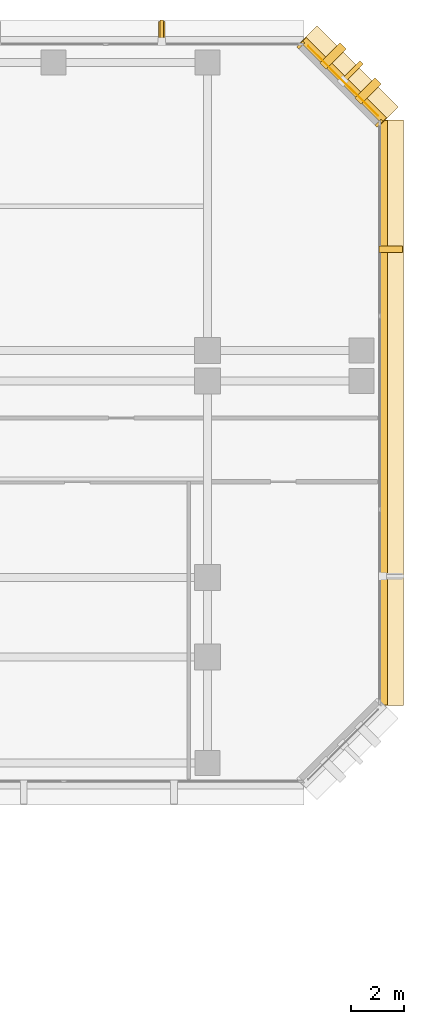
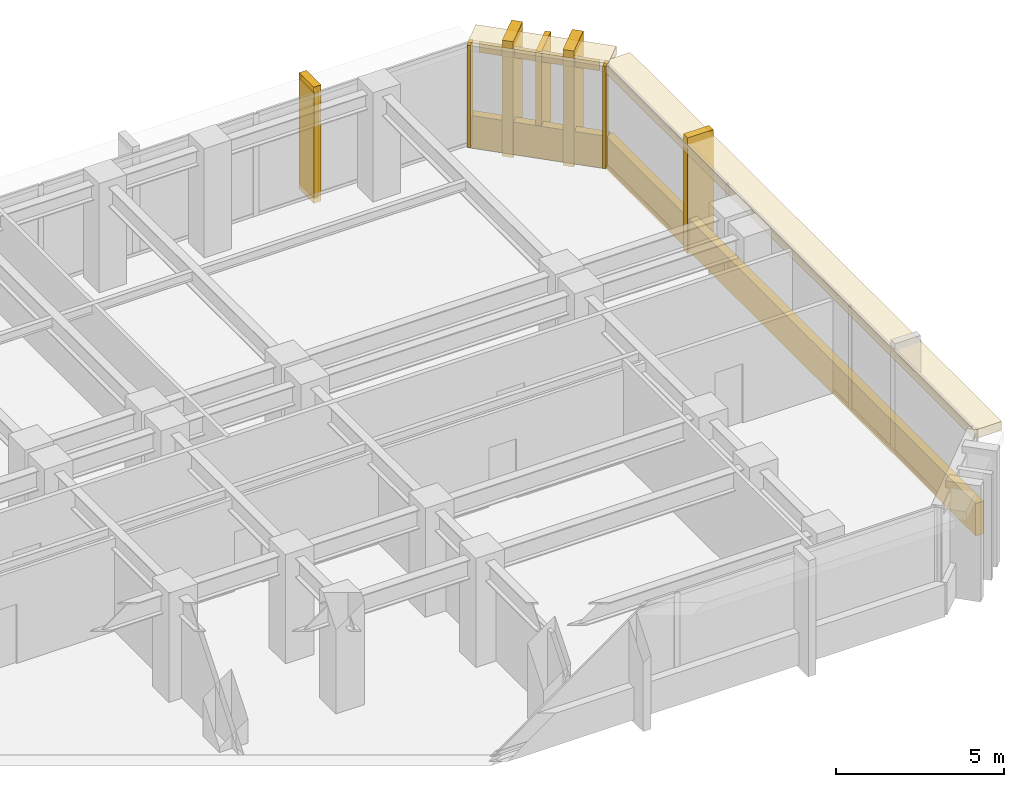
# One storey, part 13 of 13: 11 coverings, 2 shading devices.
"""IFC4 building model written with IfcOpenShell, lengths in metres."""

import ifcopenshell
import ifcopenshell.guid

model = None  # the IFC model being written
_history = None  # IfcOwnerHistory: only IFC2X3 demands one
_inside = {}  # id of a spatial element -> (the spatial element, [elements in it])
_under = {}  # id of a project, library or spatial element -> (it, [spatial elements below it])
_declared = {}  # id of a project -> (the project, [libraries it declares])
_typed = {}  # id of a type object -> (the type object, [elements of that type])
_made_of = {}  # id of a material, layer set ... -> (it, [elements and type objects made of it])


def new_model(schema):
    """Start an empty IFC model of exactly this schema.

    Asked for "IFC4X3", IfcOpenShell would pick the latest addendum, in which some entities
    have other attributes; the version numbers below select the first issue.
    IFC2X3 requires an IfcOwnerHistory on every rooted entity: one is made here for all.
    """
    global model, _history
    if schema == "IFC4X3":
        model = ifcopenshell.file(schema_version=(4, 3, 0, 0))
    else:
        model = ifcopenshell.file(schema=schema)
    _inside.clear()
    _under.clear()
    _declared.clear()
    _typed.clear()
    _made_of.clear()
    _history = None
    if model.schema == "IFC2X3":
        org = make("IfcOrganization", Name="unknown")
        user = make(
            "IfcPersonAndOrganization",
            ThePerson=make("IfcPerson", FamilyName="unknown"),
            TheOrganization=org,
        )
        app = make(
            "IfcApplication",
            ApplicationDeveloper=org,
            Version="unknown",
            ApplicationFullName="unknown",
            ApplicationIdentifier="unknown",
        )
        _history = make(
            "IfcOwnerHistory",
            OwningUser=user,
            OwningApplication=app,
            ChangeAction="ADDED",
            CreationDate=0,
        )
    return model


def make(cls, **values):
    """One entity of the class cls with the attributes given. An attribute that is None is left unset."""
    return model.create_entity(
        cls, **{name: value for name, value in values.items() if value is not None}
    )


def rooted(cls, **values):
    """An entity with a GlobalId (a new one), such as an element, a storey or a relation."""
    return make(cls, GlobalId=ifcopenshell.guid.new(), OwnerHistory=_history, **values)


def si_unit(unit_type, name, prefix=None):
    """IfcSIUnit, for example si_unit("LENGTHUNIT", "METRE", prefix="MILLI")."""
    return make("IfcSIUnit", UnitType=unit_type, Prefix=prefix, Name=name)


def assignment(units):
    """IfcUnitAssignment: the units of a project."""
    return None if units is None else make("IfcUnitAssignment", Units=units)


def point(xyz):
    """IfcCartesianPoint."""
    return None if xyz is None else make("IfcCartesianPoint", Coordinates=xyz)


def direction(xyz):
    """IfcDirection."""
    return None if xyz is None else make("IfcDirection", DirectionRatios=xyz)


def frame(location, z_axis=None, x_axis=None):
    """IfcAxis2Placement3D, a coordinate frame: its origin and axes. An axis left out is left unset."""
    return make(
        "IfcAxis2Placement3D",
        Location=point(location),
        Axis=direction(z_axis),
        RefDirection=direction(x_axis),
    )


def frame_2d(location, x_axis=None):
    """IfcAxis2Placement2D, a coordinate frame in the plane: its origin and x axis."""
    return make(
        "IfcAxis2Placement2D", Location=point(location), RefDirection=direction(x_axis)
    )


def origin():
    """The frame at (0, 0, 0) with its axes left unset."""
    return frame((0.0, 0.0, 0.0))


def origin_2d():
    """The frame at (0, 0) in the plane with its x axis left unset."""
    return frame_2d((0.0, 0.0))


def place(relative_to, where):
    """IfcLocalPlacement: puts the frame where relative to a parent placement (None: the world)."""
    return make(
        "IfcLocalPlacement", PlacementRelTo=relative_to, RelativePlacement=where
    )


def context(
    kind, dimensions, precision=None, world=None, true_north=None, identifier=None
):
    """IfcGeometricRepresentationContext, for example the 3D "Model" context."""
    return make(
        "IfcGeometricRepresentationContext",
        ContextIdentifier=identifier,
        ContextType=kind,
        CoordinateSpaceDimension=dimensions,
        Precision=precision,
        WorldCoordinateSystem=world,
        TrueNorth=true_north,
    )


def subcontext(parent, identifier, kind, view, scale=None):
    """IfcGeometricRepresentationSubContext, for example "Body" below "Model"."""
    return make(
        "IfcGeometricRepresentationSubContext",
        ContextIdentifier=identifier,
        ContextType=kind,
        ParentContext=parent,
        TargetScale=scale,
        TargetView=view,
    )


def project(units=None, contexts=None):
    """IfcProject with its units and contexts."""
    return rooted(
        "IfcProject",
        Name="project",
        RepresentationContexts=contexts,
        UnitsInContext=assignment(units),
    )


def spatial(cls, under=None, at=None, **own):
    """A site, building, storey or space (cls), placed at a placement, below another one or the project."""
    s = rooted(cls, ObjectPlacement=at, **own)
    if under is not None:
        _under.setdefault(under.id(), (under, []))[1].append(s)
    return s


def profile(cls, at=None, kind="AREA", **sizes):
    """A parametric profile (cls). Its sizes go by their IFC names, for example OverallWidth=200.0."""
    return make(cls, ProfileType=kind, Position=at, **sizes)


def rectangle(**sizes):
    """IfcRectangleProfileDef."""
    return profile("IfcRectangleProfileDef", **sizes)


def extrude(swept, where, along, depth):
    """IfcExtrudedAreaSolid: the profile swept, set in the frame where, extruded along a direction by depth."""
    return make(
        "IfcExtrudedAreaSolid",
        SweptArea=swept,
        Position=where,
        ExtrudedDirection=direction(along),
        Depth=depth,
    )


def shape(context_of_items, identifier, shape_type, items):
    """IfcShapeRepresentation: the items that make up one representation, for example the "Body"."""
    return make(
        "IfcShapeRepresentation",
        ContextOfItems=context_of_items,
        RepresentationIdentifier=identifier,
        RepresentationType=shape_type,
        Items=items,
    )


def material(Name=None, Category=None):
    """IfcMaterial."""
    return make("IfcMaterial", Name=Name, Category=Category)


def layer(
    of_material, thickness, ventilated=None, Name=None, Category=None, Priority=None
):
    """IfcMaterialLayer: one layer of a wall or slab, of a material (None: an air gap)."""
    return make(
        "IfcMaterialLayer",
        Material=of_material,
        LayerThickness=thickness,
        IsVentilated=ventilated,
        Name=Name,
        Category=Category,
        Priority=Priority,
    )


def layer_set(layers, Name=None):
    """IfcMaterialLayerSet."""
    return make("IfcMaterialLayerSet", MaterialLayers=layers, LayerSetName=Name)


def material_profile(
    of_material, cross_section, Name=None, Category=None, Priority=None
):
    """IfcMaterialProfile: a cross section and its material."""
    return make(
        "IfcMaterialProfile",
        Name=Name,
        Material=of_material,
        Profile=cross_section,
        Priority=Priority,
        Category=Category,
    )


def profile_set(profiles, Name=None, composite=None):
    """IfcMaterialProfileSet."""
    return make(
        "IfcMaterialProfileSet",
        Name=Name,
        MaterialProfiles=profiles,
        CompositeProfile=composite,
    )


def made_of(thing, what):
    """Note that an element or type object is made of a material, layer set ...; save() writes the relation."""
    if what is not None:
        _made_of.setdefault(what.id(), (what, []))[1].append(thing)
    return thing


def type_object(cls, material=None, **own):
    """A type object (cls), such as IfcWallType, which elements share."""
    return made_of(rooted(cls, **own), material)


def element(
    cls,
    number,
    at=None,
    inside=None,
    cuts=None,
    type_object=None,
    material=None,
    context=None,
    identifier="Body",
    shape_type=None,
    held_by="IfcProductDefinitionShape",
    body=None,
    shapes=None,
    **own,
):
    """One element of the class cls, such as IfcWall. Its Tag is "e" and its number.

    at: its placement. inside: the storey or other place that contains it. cuts: it is an
    opening in that element (IfcRelVoidsElement). A single representation is given by context,
    identifier, shape_type and body (its items); several are given by shapes. held_by: the class
    of the entity that holds the representations. save() writes the other relations.
    """
    e = rooted(cls, Tag="e%d" % number, ObjectPlacement=at, **own)
    if body is not None:
        shapes = [shape(context, identifier, shape_type, body)]
    if shapes is not None:
        e.Representation = make(held_by, Representations=shapes)
    if inside is not None:
        _inside.setdefault(inside.id(), (inside, []))[1].append(e)
    if cuts is not None:
        rooted(
            "IfcRelVoidsElement", RelatingBuildingElement=cuts, RelatedOpeningElement=e
        )
    if type_object is not None:
        _typed.setdefault(type_object.id(), (type_object, []))[1].append(e)
    return made_of(e, material)


def aggregate(whole, parts):
    """IfcRelAggregates: a whole, such as a stair, and the parts it consists of."""
    return rooted("IfcRelAggregates", RelatingObject=whole, RelatedObjects=parts)


def save(model, path):
    """Write the relations noted so far, then the file.

    IfcRelAggregates (storeys below a building ...), IfcRelContainedInSpatialStructure (elements
    in a storey), IfcRelDefinesByType, IfcRelAssociatesMaterial and IfcRelDeclares: one each for
    every whole, place, type object, material and project.
    """
    for whole, parts in _under.values():
        aggregate(whole, parts)
    for where, things in _inside.values():
        rooted(
            "IfcRelContainedInSpatialStructure",
            RelatedElements=things,
            RelatingStructure=where,
        )
    for kind, things in _typed.values():
        rooted("IfcRelDefinesByType", RelatedObjects=things, RelatingType=kind)
    for what, things in _made_of.values():
        rooted("IfcRelAssociatesMaterial", RelatedObjects=things, RelatingMaterial=what)
    for by, libraries in _declared.values():
        rooted("IfcRelDeclares", RelatingContext=by, RelatedDefinitions=libraries)
    model.write(path)


model = new_model("IFC4")

# Units and contexts
model_context = context("Model", 3, precision=1e-05, world=origin(), true_north=direction((0.0, 1.0)))
body_context = subcontext(model_context, "Body", "Model", "MODEL_VIEW")
ifc_project = project(units=[si_unit("LENGTHUNIT", "METRE"), si_unit("AREAUNIT", "SQUARE_METRE"), si_unit("VOLUMEUNIT", "CUBIC_METRE"), si_unit("PLANEANGLEUNIT", "RADIAN"), si_unit("MASSUNIT", "GRAM", prefix="KILO")], contexts=[model_context])

# Site, building, storey
site_placement = place(None, origin())
site = spatial("IfcSite", under=ifc_project, at=site_placement, CompositionType="ELEMENT")
building_placement = place(site_placement, origin())
building = spatial("IfcBuilding", under=site, at=building_placement, Name="Kefirva Bronze Tower", CompositionType="ELEMENT")
storey_placement = place(building_placement, frame((0.0, 0.0, 54.1201171875)))
storey = spatial("IfcBuildingStorey", under=building, at=storey_placement, Name="L12", CompositionType="ELEMENT", Elevation=54.1201171875)

# Coverings
ifc_material = material(Name="Bronze anodised aluminium", Category="aluminium")
ifc_layer_1 = layer(ifc_material, 0.02001953125, Name="Bronze anodised aluminium")
ifc_layer_set_1 = layer_set([ifc_layer_1], Name="Bronze anodised aluminium")
covering_type_1 = type_object("IfcCoveringType", Name="Anodised Bronze Spandrel Cladding 20mm", PredefinedType="CLADDING", material=ifc_layer_set_1)
covering_1_placement = place(storey_placement, frame((56.0400390625, 32.0, -0.16015625), z_axis=(0.0, 0.0, 1.0), x_axis=(0.0, 1.0, 0.0)))
element("IfcCovering", 1, at=covering_1_placement, inside=storey, type_object=covering_type_1, Name="L12 Streamline Horizontal Spandrel Band 6", PredefinedType="CLADDING", context=body_context, shape_type="SweptSolid", body=[
    extrude(rectangle(XDim=22.0400390625, YDim=0.280029296875, at=origin_2d()), origin(), (0.0, 0.0, 1.0), 1.179931640625),
])
covering_2_placement = place(storey_placement, frame((54.507080078125, 44.507080078125, 3.2900390625), z_axis=(0.0, 0.0, 1.0), x_axis=(-0.707106781187, 0.707106781187, 0.0)))
element("IfcCovering", 2, at=covering_2_placement, inside=storey, type_object=covering_type_1, Name="L12 Bronze Spandrel Cladding 5", PredefinedType="CLADDING", context=body_context, shape_type="SweptSolid", body=[
    extrude(rectangle(XDim=3.719482421875, YDim=0.02001953125, at=origin_2d()), origin(), (0.0, 0.0, 1.0), 0.39990234375),
])
for number, where, z_axis, x_axis, name in (
    (3, (55.862060546875, 42.91162109375, 0.0), (0.0, 0.0, 1.0), (-0.707106781187, 0.707106781187, 0.0), "L12 Facade Joint Closure Panel 5S"),
    (4, (52.91162109375, 45.862060546875, 0.0), (0.0, 0.0, 1.0), (-0.707106781187, 0.707106781187, 0.0), "L12 Facade Joint Closure Panel 5E"),
):
    element("IfcCovering", number, at=place(storey_placement, frame(where, z_axis=z_axis, x_axis=x_axis)), inside=storey, type_object=covering_type_1, Name=name, PredefinedType="CLADDING", context=body_context, shape_type="SweptSolid", body=[
        extrude(rectangle(XDim=0.10009765625, YDim=0.320068359375, at=origin_2d()), origin(), (0.0, 0.0, 1.0), 3.7099609375),
    ])
covering_3_placement = place(storey_placement, frame((54.5283203125, 44.5283203125, -0.16015625), z_axis=(0.0, 0.0, 1.0), x_axis=(-0.707106781187, 0.707106781187, 0.0)))
element("IfcCovering", 5, at=covering_3_placement, inside=storey, type_object=covering_type_1, Name="L12 Streamline Horizontal Spandrel Band 7", PredefinedType="CLADDING", context=body_context, shape_type="SweptSolid", body=[
    extrude(rectangle(XDim=4.28271484375, YDim=0.280029296875, at=origin_2d()), origin(), (0.0, 0.0, 1.0), 1.179931640625),
])

# Shading device
ifc_material_profile_1 = material_profile(ifc_material, rectangle(XDim=0.179931640625, YDim=1.080078125, at=origin_2d()), Name="BRONZE BUTTRESS FIN 180x1080")
ifc_profile_set_1 = profile_set([ifc_material_profile_1], Name="Bronze anodised aluminium")
shading_device_type_1 = type_object("IfcShadingDeviceType", Name="Chamfered Corner Buttress Bronze Fin 1080mm", PredefinedType="USERDEFINED", material=ifc_profile_set_1)
shading_device_1_placement = place(storey_placement, frame((54.8251953125, 44.8251953125, -0.14013671875), z_axis=(0.0, 0.0, 1.0), x_axis=(-0.707106781187, 0.707106781187, 0.0)))
element("IfcShadingDevice", 6, at=shading_device_1_placement, inside=storey, type_object=shading_device_type_1, Name="L12 Chamfered Corner Buttress Fin 18", ObjectType="VERTICAL FIN", PredefinedType="USERDEFINED", context=body_context, shape_type="SweptSolid", body=[
    extrude(rectangle(XDim=0.179931640625, YDim=1.080078125, at=origin_2d()), origin(), (0.0, 0.0, 1.0), 3.85009765625),
])

# Coverings
ifc_layer_2 = layer(ifc_material, 0.179931640625, Name="Bronze anodised aluminium")
ifc_layer_set_2 = layer_set([ifc_layer_2], Name="Bronze anodised aluminium")
covering_type_2 = type_object("IfcCoveringType", Name="Streamline Bronze Sunshade Eyebrow Cladding 180mm", PredefinedType="CLADDING", material=ifc_layer_set_2)
covering_4_placement = place(storey_placement, frame((56.31005859375, 32.0, 3.3896484375), z_axis=(0.0, 0.0, 1.0), x_axis=(0.0, 1.0, 0.0)))
element("IfcCovering", 7, at=covering_4_placement, inside=storey, type_object=covering_type_2, Name="L12 Streamline Bronze Sunshade Eyebrow 6", PredefinedType="CLADDING", context=body_context, shape_type="SweptSolid", body=[
    extrude(rectangle(XDim=22.080078125, YDim=0.93994140625, at=origin_2d()), origin(), (0.0, 0.0, 1.0), 0.320068359375),
])
covering_5_placement = place(storey_placement, frame((54.71923828125, 44.71923828125, 3.3896484375), z_axis=(0.0, 0.0, 1.0), x_axis=(-0.707106781187, 0.707106781187, 0.0)))
element("IfcCovering", 8, at=covering_5_placement, inside=storey, type_object=covering_type_2, Name="L12 Streamline Bronze Sunshade Eyebrow 7", PredefinedType="CLADDING", context=body_context, shape_type="SweptSolid", body=[
    extrude(rectangle(XDim=4.322509765625, YDim=0.93994140625, at=origin_2d()), origin(), (0.0, 0.0, 1.0), 0.320068359375),
])
ifc_layer_3 = layer(ifc_material, 0.260009765625, Name="Bronze anodised aluminium")
ifc_layer_set_3 = layer_set([ifc_layer_3], Name="Bronze anodised aluminium")
covering_type_3 = type_object("IfcCoveringType", Name="Unbroken Bronze Buttress Fin Cladding 260mm", PredefinedType="CLADDING", material=ifc_layer_set_3)
covering_6_placement = place(storey_placement, frame((56.300048828125, 38.159912109375, -0.25), z_axis=(0.0, 0.0, 1.0), x_axis=(0.0, 1.0, 0.0)))
element("IfcCovering", 9, at=covering_6_placement, inside=storey, type_object=covering_type_3, Name="L12 Unbroken Vertical Bronze Rib Fin 16", PredefinedType="CLADDING", context=body_context, shape_type="SweptSolid", body=[
    extrude(rectangle(XDim=0.260009765625, YDim=0.8798828125, at=origin_2d()), origin(), (0.0, 0.0, 1.0), 4.2099609375),
])
for number, where, z_axis, x_axis, name in (
    (10, (55.44287109375, 44.122802734375, -0.25), (0.0, 0.0, 1.0), (-0.707106781187, 0.707106781187, 0.0), "L12 Chamfered Corner Buttress Fin Cladding 17"),
    (11, (54.122802734375, 45.44287109375, -0.25), (0.0, 0.0, 1.0), (-0.707106781187, 0.707106781187, 0.0), "L12 Chamfered Corner Buttress Fin Cladding 18"),
):
    element("IfcCovering", number, at=place(storey_placement, frame(where, z_axis=z_axis, x_axis=x_axis)), inside=storey, type_object=covering_type_3, Name=name, PredefinedType="CLADDING", context=body_context, shape_type="SweptSolid", body=[
        extrude(rectangle(XDim=0.340087890625, YDim=1.080078125, at=origin_2d()), origin(), (0.0, 0.0, 1.0), 4.2099609375),
    ])
covering_7_placement = place(storey_placement, frame((47.6728515625, 46.300048828125, -0.25), z_axis=(0.0, 0.0, 1.0), x_axis=(-1.0, 0.0, 0.0)))
element("IfcCovering", 12, at=covering_7_placement, inside=storey, type_object=covering_type_3, Name="L12 Unbroken Vertical Bronze Rib Fin 19", PredefinedType="CLADDING", context=body_context, shape_type="SweptSolid", body=[
    extrude(rectangle(XDim=0.260009765625, YDim=0.8798828125, at=origin_2d()), origin(), (0.0, 0.0, 1.0), 4.2099609375),
])

# Shading device
ifc_material_profile_2 = material_profile(ifc_material, rectangle(XDim=0.139892578125, YDim=0.8798828125, at=origin_2d()), Name="BRONZE FIN 140x880")
ifc_profile_set_2 = profile_set([ifc_material_profile_2], Name="Bronze anodised aluminium")
shading_device_type_2 = type_object("IfcShadingDeviceType", Name="Unbroken Vertical Bronze Facade Fin 880mm", PredefinedType="USERDEFINED", material=ifc_profile_set_2)
shading_device_2_placement = place(storey_placement, frame((47.6728515625, 46.360107421875, -0.14013671875), z_axis=(0.0, 0.0, 1.0), x_axis=(-1.0, 0.0, 0.0)))
element("IfcShadingDevice", 13, at=shading_device_2_placement, inside=storey, type_object=shading_device_type_2, Name="L12 Vertical Bronze Rib Fin 19", ObjectType="VERTICAL FIN", PredefinedType="USERDEFINED", context=body_context, shape_type="SweptSolid", body=[
    extrude(rectangle(XDim=0.139892578125, YDim=0.8798828125, at=origin_2d()), origin(), (0.0, 0.0, 1.0), 3.85009765625),
])

save(model, "model.ifc")
